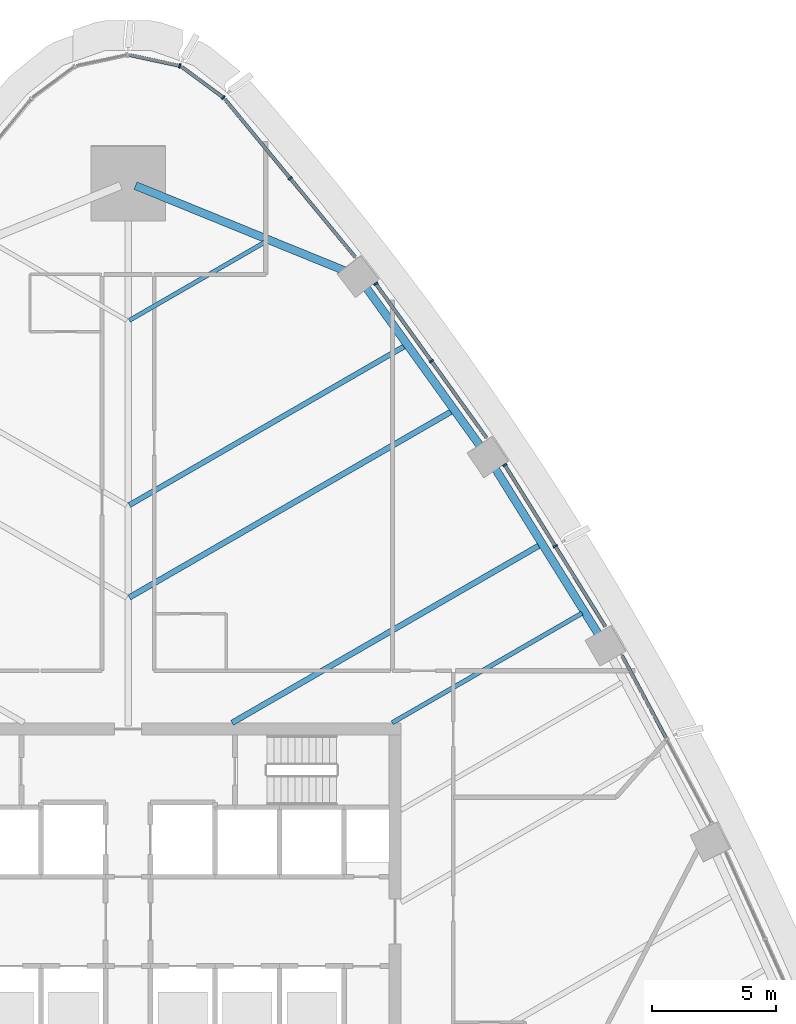
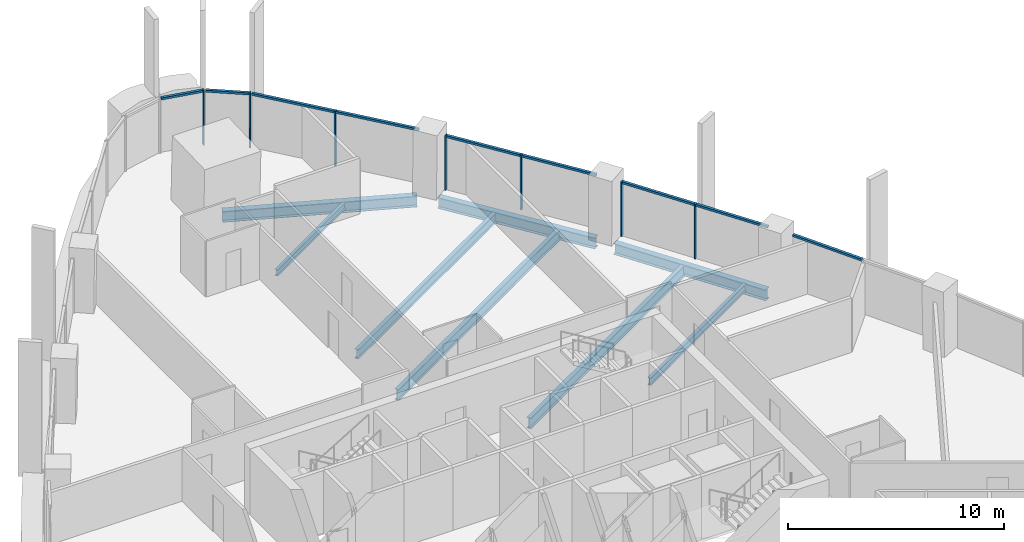
# One storey, part 7 of 22: 16 members, 8 beams, 6 elements without a shape of their own.
"""IFC4 building model written with IfcOpenShell, lengths in metres."""

from ifc_helpers import new_model, si_unit, direction, frame, origin, origin_2d, place, context, subcontext, project, spatial, rectangle, i_section, extrude, material, layer, layer_set, material_profile, profile_set, type_object, element, aggregate, save


model = new_model("IFC4")

# Units and contexts
model_context = context("Model", 3, precision=1e-05, world=origin(), true_north=direction((0.0, 1.0)))
body_context = subcontext(model_context, "Body", "Model", "MODEL_VIEW")
ifc_project = project(units=[si_unit("LENGTHUNIT", "METRE"), si_unit("AREAUNIT", "SQUARE_METRE"), si_unit("VOLUMEUNIT", "CUBIC_METRE"), si_unit("PLANEANGLEUNIT", "RADIAN"), si_unit("MASSUNIT", "GRAM", prefix="KILO")], contexts=[model_context])

# Site, building, storey
site_placement = place(None, origin())
site = spatial("IfcSite", under=ifc_project, at=site_placement, CompositionType="ELEMENT")
building_placement = place(site_placement, origin())
building = spatial("IfcBuilding", under=site, at=building_placement, Name="Sierra Prisma Convention Tower", CompositionType="ELEMENT")
storey_placement = place(building_placement, frame((0.0, 0.0, 96.10009765625)))
storey = spatial("IfcBuildingStorey", under=building, at=storey_placement, Name="L20", CompositionType="ELEMENT", Elevation=96.10009765625)

# Curtain wall, members
ifc_material_1 = material(Name="Aluminium and glass curtain wall", Category="aluminium")
ifc_layer = layer(ifc_material_1, 0.179931640625)
ifc_layer_set = layer_set([ifc_layer], Name="CW-1 Plain shaft curtain wall")
curtain_wall_type = type_object("IfcCurtainWallType", Name="CW-1 Plain shaft curtain wall", PredefinedType="NOTDEFINED", material=ifc_layer_set)
curtain_wall_1_placement = place(storey_placement, origin())
curtain_wall_1 = element("IfcCurtainWall", 1, at=curtain_wall_1_placement, inside=storey, type_object=curtain_wall_type, Name="CW-1 NE4 L20", PredefinedType="NOTDEFINED")
ifc_material_2 = material(Name="Aluminium 6063-T6 bronze anodised", Category="aluminium")
ifc_material_profile_1 = material_profile(ifc_material_2, rectangle(XDim=0.179931640625, YDim=0.070068359375, at=origin_2d()), Name="ALU MULLION 70x180")
ifc_profile_set_1 = profile_set([ifc_material_profile_1], Name="Aluminium 6063-T6 bronze anodised")
member_type_1 = type_object("IfcMemberType", Name="CW mullion bronze", PredefinedType="MULLION", material=ifc_profile_set_1)
member_1_placement = place(storey_placement, frame((17.208740234375, 15.114990234375, 0.0), z_axis=(0.0, 0.0, 1.0), x_axis=(-0.848916984477, -0.528526208875, 0.0)))
member_1 = element("IfcMember", 2, at=member_1_placement, type_object=member_type_1, Name="CW-1 mullion NE4.2", PredefinedType="MULLION", context=body_context, shape_type="SweptSolid", body=[
    extrude(rectangle(XDim=0.179931640625, YDim=0.070068359375, at=origin_2d()), origin(), (0.0, 0.0, 1.0), 3.099853515625),
])
member_2_placement = place(storey_placement, frame((15.172119140625, 18.38623046875, 0.0), z_axis=(0.0, 0.0, 1.0), x_axis=(-0.848916984477, -0.528526208875, 0.0)))
member_2 = element("IfcMember", 3, at=member_2_placement, type_object=member_type_1, Name="CW-1 mullion NE4.3", PredefinedType="MULLION", context=body_context, shape_type="SweptSolid", body=[
    extrude(rectangle(XDim=0.179931640625, YDim=0.070068359375, at=origin_2d()), origin(), (0.0, 0.0, 1.0), 3.099853515625),
])

curtain_wall_2_placement = place(storey_placement, origin())
curtain_wall_2 = element("IfcCurtainWall", 4, at=curtain_wall_2_placement, inside=storey, type_object=curtain_wall_type, Name="CW-1 NE5 L20", PredefinedType="NOTDEFINED")
member_3_placement = place(storey_placement, frame((12.21875, 22.5673828125, 0.0), z_axis=(0.0, 0.0, 1.0), x_axis=(-0.811902280835, -0.58379335931, 0.0)))
member_3 = element("IfcMember", 5, at=member_3_placement, type_object=member_type_1, Name="CW-1 mullion NE5.2", PredefinedType="MULLION", context=body_context, shape_type="SweptSolid", body=[
    extrude(rectangle(XDim=0.179931640625, YDim=0.070068359375, at=origin_2d()), origin(), (0.0, 0.0, 1.0), 3.099853515625),
])
member_4_placement = place(storey_placement, frame((9.978271484375, 25.68310546875, 0.0), z_axis=(0.0, 0.0, 1.0), x_axis=(-0.811902280835, -0.58379335931, 0.0)))
member_4 = element("IfcMember", 6, at=member_4_placement, type_object=member_type_1, Name="CW-1 mullion NE5.3", PredefinedType="MULLION", context=body_context, shape_type="SweptSolid", body=[
    extrude(rectangle(XDim=0.179931640625, YDim=0.070068359375, at=origin_2d()), origin(), (0.0, 0.0, 1.0), 3.099853515625),
])

# Curtain wall, member
curtain_wall_3_placement = place(storey_placement, origin())
curtain_wall_3 = element("IfcCurtainWall", 7, at=curtain_wall_3_placement, inside=storey, type_object=curtain_wall_type, Name="CW-1 NE6 L20", PredefinedType="NOTDEFINED")
member_5_placement = place(storey_placement, frame((6.53076171875, 29.93212890625, 0.0), z_axis=(0.0, 0.0, 1.0), x_axis=(-0.771295278051, -0.636477489041, 0.0)))
member_5 = element("IfcMember", 8, at=member_5_placement, type_object=member_type_1, Name="CW-1 mullion NE6.2", PredefinedType="MULLION", context=body_context, shape_type="SweptSolid", body=[
    extrude(rectangle(XDim=0.179931640625, YDim=0.070068359375, at=origin_2d()), origin(), (0.0, 0.0, 1.0), 3.099853515625),
])

curtain_wall_4_placement = place(storey_placement, origin())
curtain_wall_4 = element("IfcCurtainWall", 9, at=curtain_wall_4_placement, inside=storey, type_object=curtain_wall_type, Name="CW-1 N1 L20", PredefinedType="NOTDEFINED")
member_6_placement = place(storey_placement, frame((3.832763671875, 33.18798828125, 0.0), z_axis=(0.0, 0.0, 1.0), x_axis=(-0.593746324632, -0.804652286386, 0.0)))
member_6 = element("IfcMember", 10, at=member_6_placement, type_object=member_type_1, Name="CW-1 mullion N1.1", PredefinedType="MULLION", context=body_context, shape_type="SweptSolid", body=[
    extrude(rectangle(XDim=0.179931640625, YDim=0.070068359375, at=origin_2d()), origin(), (0.0, 0.0, 1.0), 3.099853515625),
])

curtain_wall_5_placement = place(storey_placement, origin())
curtain_wall_5 = element("IfcCurtainWall", 11, at=curtain_wall_5_placement, inside=storey, type_object=curtain_wall_type, Name="CW-1 N2 L20", PredefinedType="NOTDEFINED")
member_7_placement = place(storey_placement, frame((2.083740234375, 34.460693359375, 0.0), z_axis=(0.0, 0.0, 1.0), x_axis=(-0.210319970354, -0.977632604852, 0.0)))
member_7 = element("IfcMember", 12, at=member_7_placement, type_object=member_type_1, Name="CW-1 mullion N2.1", PredefinedType="MULLION", context=body_context, shape_type="SweptSolid", body=[
    extrude(rectangle(XDim=0.179931640625, YDim=0.070068359375, at=origin_2d()), origin(), (0.0, 0.0, 1.0), 3.099853515625),
])

curtain_wall_6_placement = place(storey_placement, origin())
curtain_wall_6 = element("IfcCurtainWall", 13, at=curtain_wall_6_placement, inside=storey, type_object=curtain_wall_type, Name="CW-1 NE3 L20", PredefinedType="NOTDEFINED")
ifc_material_3 = material(Name="Aluminium 6063-T6 bronze anodised", Category="aluminium")
ifc_material_profile_2 = material_profile(ifc_material_3, rectangle(XDim=0.139892578125, YDim=0.1201171875, at=origin_2d()), Name="ALU TRANSOM 120x140")
ifc_profile_set_2 = profile_set([ifc_material_profile_2], Name="Aluminium 6063-T6 bronze anodised")
member_type_2 = type_object("IfcMemberType", Name="CW transom bronze", PredefinedType="USERDEFINED", material=ifc_profile_set_2)
member_8_placement = place(storey_placement, frame((21.677978515625, 7.37646484375, 3.039794921875), z_axis=(-0.470956631202, 0.882156364556, 0.0), x_axis=(-0.882156364556, -0.470956631202, 0.0)))
member_8 = element("IfcMember", 14, at=member_8_placement, type_object=member_type_2, Name="CW-1 transom NE3.2", ObjectType="TRANSOM", PredefinedType="USERDEFINED", context=body_context, shape_type="SweptSolid", body=[
    extrude(rectangle(XDim=0.139892578125, YDim=0.1201171875, at=origin_2d()), origin(), (0.0, 0.0, 1.0), 3.783203125),
])
aggregate(curtain_wall_6, [member_8])

# Member
member_9_placement = place(storey_placement, frame((19.226806640625, 11.873779296875, 3.039794921875), z_axis=(-0.528518967984, 0.848921492531, 0.0), x_axis=(-0.848921492531, -0.528518967984, 0.0)))
member_9 = element("IfcMember", 15, at=member_9_placement, type_object=member_type_2, Name="CW-1 transom NE4.1", ObjectType="TRANSOM", PredefinedType="USERDEFINED", context=body_context, shape_type="SweptSolid", body=[
    extrude(rectangle(XDim=0.139892578125, YDim=0.1201171875, at=origin_2d()), origin(), (0.0, 0.0, 1.0), 3.783203125),
])

member_10_placement = place(storey_placement, frame((17.190185546875, 15.144775390625, 3.039794921875), z_axis=(-0.528518967984, 0.848921492531, 0.0), x_axis=(-0.848921492531, -0.528518967984, 0.0)))
member_10 = element("IfcMember", 16, at=member_10_placement, type_object=member_type_2, Name="CW-1 transom NE4.2", ObjectType="TRANSOM", PredefinedType="USERDEFINED", context=body_context, shape_type="SweptSolid", body=[
    extrude(rectangle(XDim=0.139892578125, YDim=0.1201171875, at=origin_2d()), origin(), (0.0, 0.0, 1.0), 3.783203125),
])

aggregate(curtain_wall_1, [member_1, member_2, member_9, member_10])

member_11_placement = place(storey_placement, frame((14.438720703125, 19.47998046875, 3.039794921875), z_axis=(-0.583797602466, 0.811899229803, 0.0), x_axis=(-0.811899229803, -0.583797602466, 0.0)))
member_11 = element("IfcMember", 17, at=member_11_placement, type_object=member_type_2, Name="CW-1 transom NE5.1", ObjectType="TRANSOM", PredefinedType="USERDEFINED", context=body_context, shape_type="SweptSolid", body=[
    extrude(rectangle(XDim=0.139892578125, YDim=0.1201171875, at=origin_2d()), origin(), (0.0, 0.0, 1.0), 3.767578125),
])

member_12_placement = place(storey_placement, frame((12.1982421875, 22.595703125, 3.039794921875), z_axis=(-0.58376688869, 0.811921313718, 0.0), x_axis=(-0.811921313718, -0.58376688869, 0.0)))
member_12 = element("IfcMember", 18, at=member_12_placement, type_object=member_type_2, Name="CW-1 transom NE5.2", ObjectType="TRANSOM", PredefinedType="USERDEFINED", context=body_context, shape_type="SweptSolid", body=[
    extrude(rectangle(XDim=0.139892578125, YDim=0.1201171875, at=origin_2d()), origin(), (0.0, 0.0, 1.0), 3.767822265625),
])

aggregate(curtain_wall_2, [member_3, member_4, member_11, member_12])

member_13_placement = place(storey_placement, frame((9.15576171875, 26.750732421875, 3.039794921875), z_axis=(-0.636453996235, 0.771314663854, 0.0), x_axis=(-0.771314663854, -0.636453996235, 0.0)))
member_13 = element("IfcMember", 19, at=member_13_placement, type_object=member_type_2, Name="CW-1 transom NE6.1", ObjectType="TRANSOM", PredefinedType="USERDEFINED", context=body_context, shape_type="SweptSolid", body=[
    extrude(rectangle(XDim=0.139892578125, YDim=0.1201171875, at=origin_2d()), origin(), (0.0, 0.0, 1.0), 4.089599609375),
])

member_14_placement = place(storey_placement, frame((6.50830078125, 29.958984375, 3.039794921875), z_axis=(-0.636453996235, 0.771314663854, 0.0), x_axis=(-0.771314663854, -0.636453996235, 0.0)))
member_14 = element("IfcMember", 20, at=member_14_placement, type_object=member_type_2, Name="CW-1 transom NE6.2", ObjectType="TRANSOM", PredefinedType="USERDEFINED", context=body_context, shape_type="SweptSolid", body=[
    extrude(rectangle(XDim=0.139892578125, YDim=0.1201171875, at=origin_2d()), origin(), (0.0, 0.0, 1.0), 4.089599609375),
])

aggregate(curtain_wall_3, [member_5, member_13, member_14])

member_15_placement = place(storey_placement, frame((3.8046875, 33.208740234375, 3.039794921875), z_axis=(-0.804674120366, 0.593716733817, 0.0), x_axis=(-0.593716733817, -0.804674120366, 0.0)))
member_15 = element("IfcMember", 21, at=member_15_placement, type_object=member_type_2, Name="CW-1 transom N1.1", ObjectType="TRANSOM", PredefinedType="USERDEFINED", context=body_context, shape_type="SweptSolid", body=[
    extrude(rectangle(XDim=0.139892578125, YDim=0.1201171875, at=origin_2d()), origin(), (0.0, 0.0, 1.0), 2.0263671875),
])

aggregate(curtain_wall_4, [member_6, member_15])

member_16_placement = place(storey_placement, frame((2.04931640625, 34.46826171875, 3.039794921875), z_axis=(-0.977646979759, 0.210253140212, 0.0), x_axis=(-0.210253140212, -0.977646979759, 0.0)))
member_16 = element("IfcMember", 22, at=member_16_placement, type_object=member_type_2, Name="CW-1 transom N2.1", ObjectType="TRANSOM", PredefinedType="USERDEFINED", context=body_context, shape_type="SweptSolid", body=[
    extrude(rectangle(XDim=0.139892578125, YDim=0.1201171875, at=origin_2d()), origin(), (0.0, 0.0, 1.0), 2.0263671875),
])

aggregate(curtain_wall_5, [member_7, member_16])

# Beams
ifc_material_4 = material(Name="Steel ASTM A992 Gr 50", Category="steel")
ifc_material_profile_3 = material_profile(ifc_material_4, i_section(OverallWidth=0.172119140625, OverallDepth=0.35791015625, WebThickness=0.0078125, FlangeThickness=0.01318359375, at=origin_2d()), Name="W360x57")
ifc_profile_set_3 = profile_set([ifc_material_profile_3], Name="Steel ASTM A992 Gr 50")
beam_type_1 = type_object("IfcBeamType", Name="Floor joist W360x57", PredefinedType="JOIST", material=ifc_profile_set_3)
beam_1_placement = place(storey_placement, frame((5.53466796875, 27.374755859375, -0.3291015625), z_axis=(-0.866012803942, -0.500021822932, 0.0), x_axis=(0.500021822932, -0.866012803942, 0.0)))
element("IfcBeam", 23, at=beam_1_placement, inside=storey, type_object=beam_type_1, Name="Floor joist L20 NE15", PredefinedType="JOIST", context=body_context, shape_type="SweptSolid", body=[
    extrude(i_section(OverallWidth=0.172119140625, OverallDepth=0.35791015625, WebThickness=0.0078125, FlangeThickness=0.01318359375, at=origin_2d()), origin(), (0.0, 0.0, 1.0), 6.329833984375),
])
ifc_material_5 = material(Name="Steel ASTM A992 Gr 50", Category="steel")
ifc_material_profile_4 = material_profile(ifc_material_5, i_section(OverallWidth=0.177978515625, OverallDepth=0.406982421875, WebThickness=0.0078125, FlangeThickness=0.0126953125, at=origin_2d()), Name="W410x60")
ifc_profile_set_4 = profile_set([ifc_material_profile_4], Name="Steel ASTM A992 Gr 50")
beam_type_2 = type_object("IfcBeamType", Name="Floor joist W410x60", PredefinedType="JOIST", material=ifc_profile_set_4)
beam_2_placement = place(storey_placement, frame((18.28515625, 12.416748046875, -0.353515625), z_axis=(-0.866028643188, -0.499994389147, 0.0), x_axis=(0.499994389147, -0.866028643188, 0.0)))
element("IfcBeam", 24, at=beam_2_placement, inside=storey, type_object=beam_type_2, Name="Floor joist L20 NE09", PredefinedType="JOIST", context=body_context, shape_type="SweptSolid", body=[
    extrude(i_section(OverallWidth=0.177978515625, OverallDepth=0.406982421875, WebThickness=0.0078125, FlangeThickness=0.0126953125, at=origin_2d()), origin(), (0.0, 0.0, 1.0), 8.83349609375),
])
ifc_material_6 = material(Name="Steel ASTM A992 Gr 50", Category="steel")
ifc_material_profile_5 = material_profile(ifc_material_6, i_section(OverallWidth=0.208984375, OverallDepth=0.532958984375, WebThickness=0.01025390625, FlangeThickness=0.015625, at=origin_2d()), Name="W530x92")
ifc_profile_set_5 = profile_set([ifc_material_profile_5], Name="Steel ASTM A992 Gr 50")
beam_type_3 = type_object("IfcBeamType", Name="Floor joist W530x92", PredefinedType="JOIST", material=ifc_profile_set_5)
beam_3_placement = place(storey_placement, frame((11.1494140625, 23.176513671875, -0.41650390625), z_axis=(-0.866026617329, -0.499997898073, 0.0), x_axis=(0.499997898073, -0.866026617329, 0.0)))
element("IfcBeam", 25, at=beam_3_placement, inside=storey, type_object=beam_type_3, Name="Floor joist L20 NE13", PredefinedType="JOIST", context=body_context, shape_type="SweptSolid", body=[
    extrude(i_section(OverallWidth=0.208984375, OverallDepth=0.532958984375, WebThickness=0.01025390625, FlangeThickness=0.015625, at=origin_2d()), origin(), (0.0, 0.0, 1.0), 12.81298828125),
])
ifc_material_7 = material(Name="Steel ASTM A992 Gr 50", Category="steel")
ifc_material_profile_6 = material_profile(ifc_material_7, i_section(OverallWidth=0.22802734375, OverallDepth=0.60302734375, WebThickness=0.010498046875, FlangeThickness=0.014892578125, at=origin_2d()), Name="W610x101")
ifc_profile_set_6 = profile_set([ifc_material_profile_6], Name="Steel ASTM A992 Gr 50")
beam_type_4 = type_object("IfcBeamType", Name="Floor joist W610x101", PredefinedType="JOIST", material=ifc_profile_set_6)
beam_4_placement = place(storey_placement, frame((16.58154296875, 15.153076171875, -0.45166015625), z_axis=(-0.866028148673, -0.499995245684, 0.0), x_axis=(0.499995245684, -0.866028148673, 0.0)))
element("IfcBeam", 26, at=beam_4_placement, inside=storey, type_object=beam_type_4, Name="Floor joist L20 NE10", PredefinedType="JOIST", context=body_context, shape_type="SweptSolid", body=[
    extrude(i_section(OverallWidth=0.22802734375, OverallDepth=0.60302734375, WebThickness=0.010498046875, FlangeThickness=0.014892578125, at=origin_2d()), origin(), (0.0, 0.0, 1.0), 14.306396484375),
])
beam_5_placement = place(storey_placement, frame((13.03955078125, 20.5478515625, -0.45166015625), z_axis=(-0.866032403284, -0.499987876315, 0.0), x_axis=(0.499987876315, -0.866032403284, 0.0)))
element("IfcBeam", 27, at=beam_5_placement, inside=storey, type_object=beam_type_4, Name="Floor joist L20 NE12", PredefinedType="JOIST", context=body_context, shape_type="SweptSolid", body=[
    extrude(i_section(OverallWidth=0.22802734375, OverallDepth=0.60302734375, WebThickness=0.010498046875, FlangeThickness=0.014892578125, at=origin_2d()), origin(), (0.0, 0.0, 1.0), 14.995361328125),
])
ifc_material_8 = material(Name="Steel ASTM A992 Gr 50", Category="steel")
ifc_material_profile_7 = material_profile(ifc_material_8, i_section(OverallWidth=0.324951171875, OverallDepth=0.615966796875, WebThickness=0.013916015625, FlangeThickness=0.021484375, at=origin_2d()), Name="W610x174")
ifc_profile_set_7 = profile_set([ifc_material_profile_7], Name="Steel ASTM A992 Gr 50")
beam_type_5 = type_object("IfcBeamType", Name="Spandrel beam W610x174", PredefinedType="BEAM", material=ifc_profile_set_7)
for number, where, z_axis, x_axis, name in (
    (28, (18.98046875, 11.5126953125, -0.4580078125), (-0.528519870596, 0.848920930585, 0.0), (-0.848920930585, -0.528519870596, 0.0), "Spandrel L20-10"),
    (29, (14.21728515625, 19.103271484375, -0.4580078125), (-0.583798238148, 0.811898772714, 0.0), (-0.811898772714, -0.583798238148, 0.0), "Spandrel L20-11"),
):
    element("IfcBeam", number, at=place(storey_placement, frame(where, z_axis=z_axis, x_axis=x_axis)), inside=storey, type_object=beam_type_5, Name=name, PredefinedType="BEAM", context=body_context, shape_type="SweptSolid", body=[
        extrude(i_section(OverallWidth=0.324951171875, OverallDepth=0.615966796875, WebThickness=0.013916015625, FlangeThickness=0.021484375, at=origin_2d()), origin(), (0.0, 0.0, 1.0), 8.001708984375),
    ])
beam_6_placement = place(storey_placement, frame((8.733154296875, 26.206298828125, -0.4580078125), z_axis=(-0.926285882454, 0.376821528002, 0.0), x_axis=(-0.376821528002, -0.926285882454, 0.0)))
element("IfcBeam", 30, at=beam_6_placement, inside=storey, type_object=beam_type_5, Name="Spandrel L20-12", PredefinedType="BEAM", context=body_context, shape_type="SweptSolid", body=[
    extrude(i_section(OverallWidth=0.324951171875, OverallDepth=0.615966796875, WebThickness=0.013916015625, FlangeThickness=0.021484375, at=origin_2d()), origin(), (0.0, 0.0, 1.0), 9.104248046875),
])

save(model, "model.ifc")
